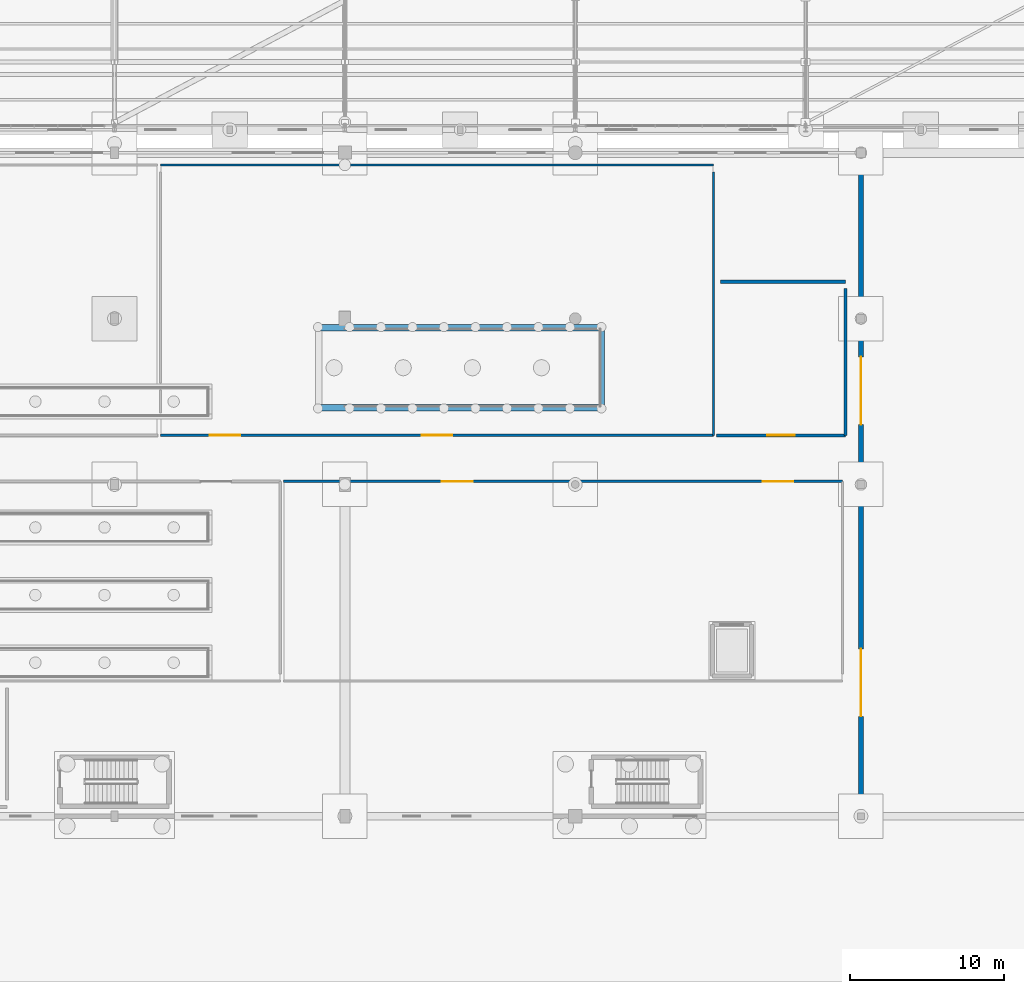
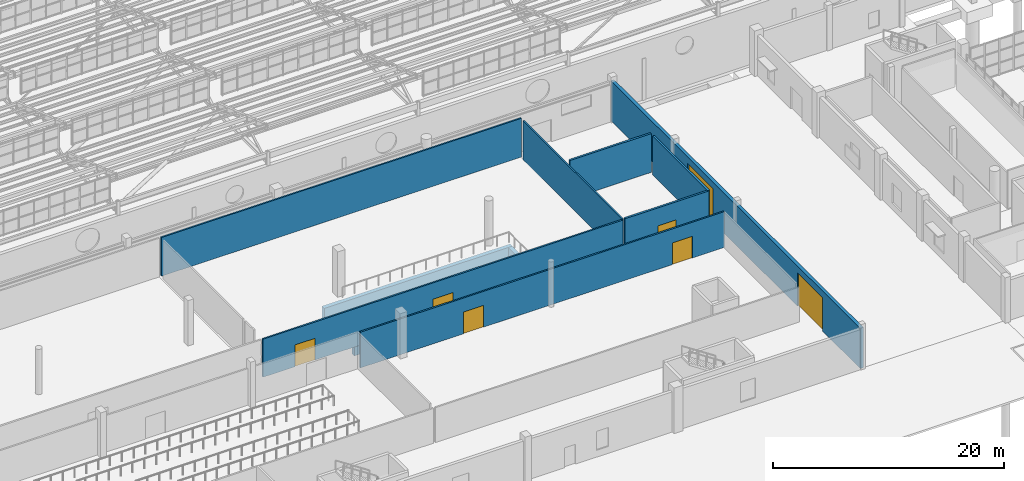
# One storey, part 252 of 285: 11 walls, 7 doors, 7 openings.
"""IFC4 building model written with IfcOpenShell, lengths in metres."""

from ifc_helpers import new_model, si_unit, direction, frame, frame_2d, origin, place, context, subcontext, project, spatial, rectangle, extrude, material, layer, layer_set, type_object, element, fill, save


model = new_model("IFC4")

# Units and contexts
model_context = context("Model", 3, precision=1e-05, world=origin(), true_north=direction((0.0, 1.0)))
body_context = subcontext(model_context, "Body", "Model", "MODEL_VIEW")
ifc_project = project(units=[si_unit("LENGTHUNIT", "METRE"), si_unit("AREAUNIT", "SQUARE_METRE"), si_unit("VOLUMEUNIT", "CUBIC_METRE"), si_unit("PLANEANGLEUNIT", "RADIAN"), si_unit("MASSUNIT", "GRAM", prefix="KILO")], contexts=[model_context])

# Site, building, storey
site_placement = place(None, origin())
site = spatial("IfcSite", under=ifc_project, at=site_placement, CompositionType="ELEMENT")
building_placement = place(site_placement, origin())
building = spatial("IfcBuilding", under=site, at=building_placement, Name="Solanera Park Tramway Depot", CompositionType="ELEMENT")
storey_placement = place(building_placement, origin())
storey = spatial("IfcBuildingStorey", under=building, at=storey_placement, Name="L00", CompositionType="ELEMENT", Elevation=0.0)

# Walls
ifc_material_1 = material(Name="Concrete N32 (C32/40)", Category="concrete")
ifc_layer_1 = layer(ifc_material_1, 0.14990234375)
ifc_layer_set_1 = layer_set([ifc_layer_1], Name="Concrete N32 (C32/40)")
wall_type_1 = type_object("IfcWallType", Name="Acoustic Partition 150", PredefinedType="PARTITIONING", material=ifc_layer_set_1)
wall_1_placement = place(storey_placement, frame((48.0, 53.199951171875, 0.0), z_axis=(0.0, 0.0, 1.0), x_axis=(1.0, 0.0, 0.0)))
element("IfcWall", 1, at=wall_1_placement, inside=storey, type_object=wall_type_1, Name="Underfloor Wheel Lathe Hall Dividing Wall", PredefinedType="PARTITIONING", context=body_context, shape_type="SweptSolid", body=[
    extrude(rectangle(XDim=36.0, YDim=0.14990234375, at=frame_2d((18.0, 0.0))), origin(), (0.0, 0.0, 1.0), 4.10009765625),
])
wall_2_placement = place(storey_placement, frame((84.0, 35.60009765625, 0.0), z_axis=(0.0, 0.0, 1.0), x_axis=(0.0, 1.0, 0.0)))
element("IfcWall", 2, at=wall_2_placement, inside=storey, type_object=wall_type_1, Name="Underfloor Wheel Lathe Hall Dividing Wall", PredefinedType="PARTITIONING", context=body_context, shape_type="SweptSolid", body=[
    extrude(rectangle(XDim=17.14990234375, YDim=0.14990234375, at=frame_2d((8.574951171875, 0.0))), origin(), (0.0, 0.0, 1.0), 4.10009765625),
])

# Wall, openings, doors
ifc_material_2 = material(Name="Concrete N32 (C32/40)", Category="concrete")
ifc_layer_2 = layer(ifc_material_2, 0.320068359375)
ifc_layer_set_2 = layer_set([ifc_layer_2], Name="Concrete N32 (C32/40)")
wall_type_2 = type_object("IfcWallType", Name="Ext Stucco Wall 320", PredefinedType="SOLIDWALL", material=ifc_layer_set_2)
wall_3_placement = place(storey_placement, frame((93.60009765625, 10.800048828125, 0.0), z_axis=(0.0, 0.0, 1.0), x_axis=(0.0, 1.0, 0.0)))
wall_3 = element("IfcWall", 3, at=wall_3_placement, inside=storey, type_object=wall_type_2, Name="L00 Exterior Wall #004", PredefinedType="SOLIDWALL", context=body_context, shape_type="SweptSolid", body=[
    extrude(rectangle(XDim=43.199951171875, YDim=0.320068359375, at=frame_2d((21.60009765625, 0.0))), origin(), (0.0, 0.0, 1.0), 4.25),
])
opening_1_placement = place(wall_3_placement, frame((6.5, 0.0, 0.0)))
opening_1 = element("IfcOpeningElement", 4, at=opening_1_placement, cuts=wall_3, Name="Opening VG-04", PredefinedType="OPENING", context=body_context, shape_type="SweptSolid", body=[
    extrude(rectangle(XDim=4.39990234375, YDim=3.550048828125, at=frame_2d((2.199951171875, 1.77490234375))), frame((0.0, 0.169921875, 0.0), z_axis=(0.0, -1.0, 0.0), x_axis=(1.0, 0.0, 0.0)), (0.0, 0.0, 1.0), 0.340087890625),
])
opening_2_placement = place(wall_3_placement, frame((25.5, 0.0, 0.0)))
opening_2 = element("IfcOpeningElement", 5, at=opening_2_placement, cuts=wall_3, Name="Opening VG-04", PredefinedType="OPENING", context=body_context, shape_type="SweptSolid", body=[
    extrude(rectangle(XDim=4.39990234375, YDim=3.550048828125, at=frame_2d((2.199951171875, 1.77490234375))), frame((0.0, 0.169921875, 0.0), z_axis=(0.0, -1.0, 0.0), x_axis=(1.0, 0.0, 0.0)), (0.0, 0.0, 1.0), 0.340087890625),
])
ifc_material_3 = material(Name="Powder-coated aluminium and steel portal leaf", Category="steel")
door_type_1 = type_object("IfcDoorType", Name="Heavy Workshop Track Portal 4400x3550", OperationType="SLIDING_TO_LEFT", PredefinedType="GATE", material=ifc_material_3)
door_1_placement = place(opening_1_placement, origin())
door_1 = element("IfcDoor", 6, at=door_1_placement, inside=storey, type_object=door_type_1, Name="Workshop Track Portal #0033", OperationType="SLIDING_TO_LEFT", OverallHeight=3.550048828125, OverallWidth=4.39990234375, PredefinedType="GATE", context=body_context, shape_type="SweptSolid", body=[
    extrude(rectangle(XDim=4.39990234375, YDim=3.550048828125, at=frame_2d((2.199951171875, 1.77490234375))), frame((0.0, 0.02490234375, 0.0), z_axis=(0.0, -1.0, 0.0), x_axis=(1.0, 0.0, 0.0)), (0.0, 0.0, 1.0), 0.050048828125),
])
fill(opening_1, door_1)
door_2_placement = place(opening_2_placement, origin())
door_2 = element("IfcDoor", 7, at=door_2_placement, inside=storey, type_object=door_type_1, Name="Workshop Track Portal #0034", OperationType="SLIDING_TO_LEFT", OverallHeight=3.550048828125, OverallWidth=4.39990234375, PredefinedType="GATE", context=body_context, shape_type="SweptSolid", body=[
    extrude(rectangle(XDim=4.39990234375, YDim=3.550048828125, at=frame_2d((2.199951171875, 1.77490234375))), frame((0.0, 0.02490234375, 0.0), z_axis=(0.0, -1.0, 0.0), x_axis=(1.0, 0.0, 0.0)), (0.0, 0.0, 1.0), 0.050048828125),
])
fill(opening_2, door_2)

# Walls
ifc_material_4 = material(Name="Concrete N32 (C32/40)", Category="concrete")
ifc_layer_3 = layer(ifc_material_4, 0.199951171875)
ifc_layer_set_3 = layer_set([ifc_layer_3], Name="Concrete N32 (C32/40)")
wall_type_3 = type_object("IfcWallType", Name="Fire Compartment Wall 200", PredefinedType="SOLIDWALL", material=ifc_layer_set_3)
wall_4_placement = place(storey_placement, frame((84.449951171875, 45.60009765625, 0.0), z_axis=(0.0, 0.0, 1.0), x_axis=(1.0, 0.0, 0.0)))
element("IfcWall", 8, at=wall_4_placement, inside=storey, type_object=wall_type_3, Name="Compressed Air and Hydraulic Plant Dividing Wall", PredefinedType="SOLIDWALL", context=body_context, shape_type="SweptSolid", body=[
    extrude(rectangle(XDim=8.150146484375, YDim=0.199951171875, at=frame_2d((4.0751953125, 0.0))), origin(), (0.0, 0.0, 1.0), 4.10009765625),
])
wall_5_placement = place(storey_placement, frame((92.60009765625, 35.60009765625, 0.0), z_axis=(0.0, 0.0, 1.0), x_axis=(0.0, 1.0, 0.0)))
element("IfcWall", 9, at=wall_5_placement, inside=storey, type_object=wall_type_3, Name="Compressed Air and Hydraulic Plant Dividing Wall", PredefinedType="SOLIDWALL", context=body_context, shape_type="SweptSolid", body=[
    extrude(rectangle(XDim=9.5498046875, YDim=0.199951171875, at=frame_2d((4.77490234375, 0.0))), origin(), (0.0, 0.0, 1.0), 4.10009765625),
])

# Wall, opening, door
wall_6_placement = place(storey_placement, frame((92.60009765625, 35.60009765625, 0.0), z_axis=(0.0, 0.0, 1.0), x_axis=(-1.0, 0.0, 0.0)))
wall_6 = element("IfcWall", 10, at=wall_6_placement, inside=storey, type_object=wall_type_3, Name="Compressed Air and Hydraulic Plant Corridor Wall", PredefinedType="SOLIDWALL", context=body_context, shape_type="SweptSolid", body=[
    extrude(rectangle(XDim=8.400146484375, YDim=0.199951171875, at=frame_2d((4.2001953125, 0.0))), origin(), (0.0, 0.0, 1.0), 4.10009765625),
])
opening_3_placement = place(wall_6_placement, frame((3.300048828125, 0.0, 0.0)))
opening_3 = element("IfcOpeningElement", 11, at=opening_3_placement, cuts=wall_6, Name="Opening FD-P2D", PredefinedType="OPENING", context=body_context, shape_type="SweptSolid", body=[
    extrude(rectangle(XDim=1.800048828125, YDim=2.199951171875, at=frame_2d((0.89990234375, 1.10009765625))), frame((0.0, 0.10986328125, 0.0), z_axis=(0.0, -1.0, 0.0), x_axis=(1.0, 0.0, 0.0)), (0.0, 0.0, 1.0), 0.219970703125),
])
ifc_material_5 = material(Name="Fire-rated steel or solid-core hardwood door leaf", Category="steel")
door_type_2 = type_object("IfcDoorType", Name="Plant Double Fire Door 1800x2200", OperationType="DOUBLE_SWING_LEFT", PredefinedType="DOOR", material=ifc_material_5)
door_3_placement = place(opening_3_placement, origin())
door_3 = element("IfcDoor", 12, at=door_3_placement, inside=storey, type_object=door_type_2, Name="Compressed Air and Hydraulic Plant Door", OperationType="DOUBLE_SWING_LEFT", OverallHeight=2.199951171875, OverallWidth=1.800048828125, PredefinedType="DOOR", context=body_context, shape_type="SweptSolid", body=[
    extrude(rectangle(XDim=1.800048828125, YDim=2.199951171875, at=frame_2d((0.89990234375, 1.10009765625))), frame((0.0, 0.02490234375, 0.0), z_axis=(0.0, -1.0, 0.0), x_axis=(1.0, 0.0, 0.0)), (0.0, 0.0, 1.0), 0.050048828125),
])
fill(opening_3, door_3)

# Wall, openings, doors
ifc_material_6 = material(Name="Concrete N32 (C32/40)", Category="concrete")
ifc_layer_4 = layer(ifc_material_6, 0.159912109375)
ifc_layer_set_4 = layer_set([ifc_layer_4], Name="Concrete N32 (C32/40)")
wall_type_4 = type_object("IfcWallType", Name="Fire Corridor Wall 160", PredefinedType="PARTITIONING", material=ifc_layer_set_4)
wall_7_placement = place(storey_placement, frame((56.0, 32.60009765625, 0.0), z_axis=(0.0, 0.0, 1.0), x_axis=(1.0, 0.0, 0.0)))
wall_7 = element("IfcWall", 13, at=wall_7_placement, inside=storey, type_object=wall_type_4, Name="Running Repair Inspection Bay Hall Corridor Wall", PredefinedType="PARTITIONING", context=body_context, shape_type="SweptSolid", body=[
    extrude(rectangle(XDim=36.39990234375, YDim=0.159912109375, at=frame_2d((18.199951171875, 0.0))), origin(), (0.0, 0.0, 1.0), 3.781982421875),
])
opening_4_placement = place(wall_7_placement, frame((10.320068359375, 0.0, 0.0)))
opening_4 = element("IfcOpeningElement", 14, at=opening_4_placement, cuts=wall_7, Name="Opening ID-K2D", PredefinedType="OPENING", context=body_context, shape_type="SweptSolid", body=[
    extrude(rectangle(XDim=2.0, YDim=2.300048828125, at=frame_2d((1.0, 1.14990234375))), frame((0.0, 0.08984375, 0.0), z_axis=(0.0, -1.0, 0.0), x_axis=(1.0, 0.0, 0.0)), (0.0, 0.0, 1.0), 0.179931640625),
])
opening_5_placement = place(wall_7_placement, frame((31.199951171875, 0.0, 0.0)))
opening_5 = element("IfcOpeningElement", 15, at=opening_5_placement, cuts=wall_7, Name="Opening ID-K2D", PredefinedType="OPENING", context=body_context, shape_type="SweptSolid", body=[
    extrude(rectangle(XDim=2.0, YDim=2.300048828125, at=frame_2d((1.0, 1.14990234375))), frame((0.0, 0.08984375, 0.0), z_axis=(0.0, -1.0, 0.0), x_axis=(1.0, 0.0, 0.0)), (0.0, 0.0, 1.0), 0.179931640625),
])
ifc_material_7 = material(Name="Fire-rated steel or solid-core hardwood door leaf", Category="steel")
door_type_3 = type_object("IfcDoorType", Name="Workshop Bay Double Door 2000x2300", OperationType="DOUBLE_SWING_LEFT", PredefinedType="DOOR", material=ifc_material_7)
door_4_placement = place(opening_4_placement, origin())
door_4 = element("IfcDoor", 16, at=door_4_placement, inside=storey, type_object=door_type_3, Name="Running Repair Inspection Bay Hall Door", OperationType="DOUBLE_SWING_LEFT", OverallHeight=2.300048828125, OverallWidth=2.0, PredefinedType="DOOR", context=body_context, shape_type="SweptSolid", body=[
    extrude(rectangle(XDim=2.0, YDim=2.300048828125, at=frame_2d((1.0, 1.14990234375))), frame((0.0, 0.02490234375, 0.0), z_axis=(0.0, -1.0, 0.0), x_axis=(1.0, 0.0, 0.0)), (0.0, 0.0, 1.0), 0.050048828125),
])
fill(opening_4, door_4)
door_5_placement = place(opening_5_placement, origin())
door_5 = element("IfcDoor", 17, at=door_5_placement, inside=storey, type_object=door_type_3, Name="Running Repair Inspection Bay Hall Secondary Exit Door", OperationType="DOUBLE_SWING_LEFT", OverallHeight=2.300048828125, OverallWidth=2.0, PredefinedType="DOOR", context=body_context, shape_type="SweptSolid", body=[
    extrude(rectangle(XDim=2.0, YDim=2.300048828125, at=frame_2d((1.0, 1.14990234375))), frame((0.0, 0.02490234375, 0.0), z_axis=(0.0, -1.0, 0.0), x_axis=(1.0, 0.0, 0.0)), (0.0, 0.0, 1.0), 0.050048828125),
])
fill(opening_5, door_5)

wall_8_placement = place(storey_placement, frame((84.0, 35.60009765625, 0.0), z_axis=(0.0, 0.0, 1.0), x_axis=(-1.0, 0.0, 0.0)))
wall_8 = element("IfcWall", 18, at=wall_8_placement, inside=storey, type_object=wall_type_4, Name="Underfloor Wheel Lathe Hall Corridor Wall", PredefinedType="PARTITIONING", context=body_context, shape_type="SweptSolid", body=[
    extrude(rectangle(XDim=36.0, YDim=0.159912109375, at=frame_2d((18.0, 0.0))), origin(), (0.0, 0.0, 1.0), 4.024658203125),
])
opening_6_placement = place(wall_8_placement, frame((17.0, 0.0, 0.0)))
opening_6 = element("IfcOpeningElement", 19, at=opening_6_placement, cuts=wall_8, Name="Opening ID-K2D", PredefinedType="OPENING", context=body_context, shape_type="SweptSolid", body=[
    extrude(rectangle(XDim=2.0, YDim=2.300048828125, at=frame_2d((1.0, 1.14990234375))), frame((0.0, 0.08984375, 0.0), z_axis=(0.0, -1.0, 0.0), x_axis=(1.0, 0.0, 0.0)), (0.0, 0.0, 1.0), 0.179931640625),
])
opening_7_placement = place(wall_8_placement, frame((30.800048828125, 0.0, 0.0)))
opening_7 = element("IfcOpeningElement", 20, at=opening_7_placement, cuts=wall_8, Name="Opening ID-K2D", PredefinedType="OPENING", context=body_context, shape_type="SweptSolid", body=[
    extrude(rectangle(XDim=2.0, YDim=2.300048828125, at=frame_2d((1.0, 1.14990234375))), frame((0.0, 0.08984375, 0.0), z_axis=(0.0, -1.0, 0.0), x_axis=(1.0, 0.0, 0.0)), (0.0, 0.0, 1.0), 0.179931640625),
])
door_6_placement = place(opening_6_placement, origin())
door_6 = element("IfcDoor", 21, at=door_6_placement, inside=storey, type_object=door_type_3, Name="Underfloor Wheel Lathe Hall Door", OperationType="DOUBLE_SWING_LEFT", OverallHeight=2.300048828125, OverallWidth=2.0, PredefinedType="DOOR", context=body_context, shape_type="SweptSolid", body=[
    extrude(rectangle(XDim=2.0, YDim=2.300048828125, at=frame_2d((1.0, 1.14990234375))), frame((0.0, 0.02490234375, 0.0), z_axis=(0.0, -1.0, 0.0), x_axis=(1.0, 0.0, 0.0)), (0.0, 0.0, 1.0), 0.050048828125),
])
fill(opening_6, door_6)
door_7_placement = place(opening_7_placement, origin())
door_7 = element("IfcDoor", 22, at=door_7_placement, inside=storey, type_object=door_type_3, Name="Underfloor Wheel Lathe Hall Secondary Exit Door", OperationType="DOUBLE_SWING_LEFT", OverallHeight=2.300048828125, OverallWidth=2.0, PredefinedType="DOOR", context=body_context, shape_type="SweptSolid", body=[
    extrude(rectangle(XDim=2.0, YDim=2.300048828125, at=frame_2d((1.0, 1.14990234375))), frame((0.0, 0.02490234375, 0.0), z_axis=(0.0, -1.0, 0.0), x_axis=(1.0, 0.0, 0.0)), (0.0, 0.0, 1.0), 0.050048828125),
])
fill(opening_7, door_7)

# Walls
ifc_material_8 = material(Name="Concrete N40 (C40/50)", Category="concrete")
ifc_layer_5 = layer(ifc_material_8, 0.39990234375)
ifc_layer_set_5 = layer_set([ifc_layer_5], Name="Concrete N40 (C40/50)")
wall_type_5 = type_object("IfcWallType", Name="Pit Retaining Wall 400", PredefinedType="USERDEFINED", material=ifc_layer_set_5)
for number, where, z_axis, x_axis, name in (
    (23, (58.10009765625, 37.39990234375, -2.300048828125), (0.0, 0.0, 1.0), (1.0, 0.0, 0.0), "Pit Retaining Wall PIT-WL S"),
    (24, (58.10009765625, 42.60009765625, -2.300048828125), (0.0, 0.0, 1.0), (1.0, 0.0, 0.0), "Pit Retaining Wall PIT-WL N"),
):
    element("IfcWall", number, at=place(storey_placement, frame(where, z_axis=z_axis, x_axis=x_axis)), inside=storey, type_object=wall_type_5, Name=name, ObjectType="RETAINING WALL", PredefinedType="USERDEFINED", context=body_context, shape_type="SweptSolid", body=[
        extrude(rectangle(XDim=18.7998046875, YDim=0.39990234375, at=frame_2d((9.39990234375, 0.0))), origin(), (0.0, 0.0, 1.0), 1.875),
    ])
wall_9_placement = place(storey_placement, frame((76.699951171875, 37.60009765625, -2.300048828125), z_axis=(0.0, 0.0, 1.0), x_axis=(0.0, 1.0, 0.0)))
element("IfcWall", 25, at=wall_9_placement, inside=storey, type_object=wall_type_5, Name="Pit Retaining Wall PIT-WL E", ObjectType="RETAINING WALL", PredefinedType="USERDEFINED", context=body_context, shape_type="SweptSolid", body=[
    extrude(rectangle(XDim=4.7998046875, YDim=0.39990234375, at=frame_2d((2.39990234375, 0.0))), origin(), (0.0, 0.0, 1.0), 1.875),
])

save(model, "model.ifc")
